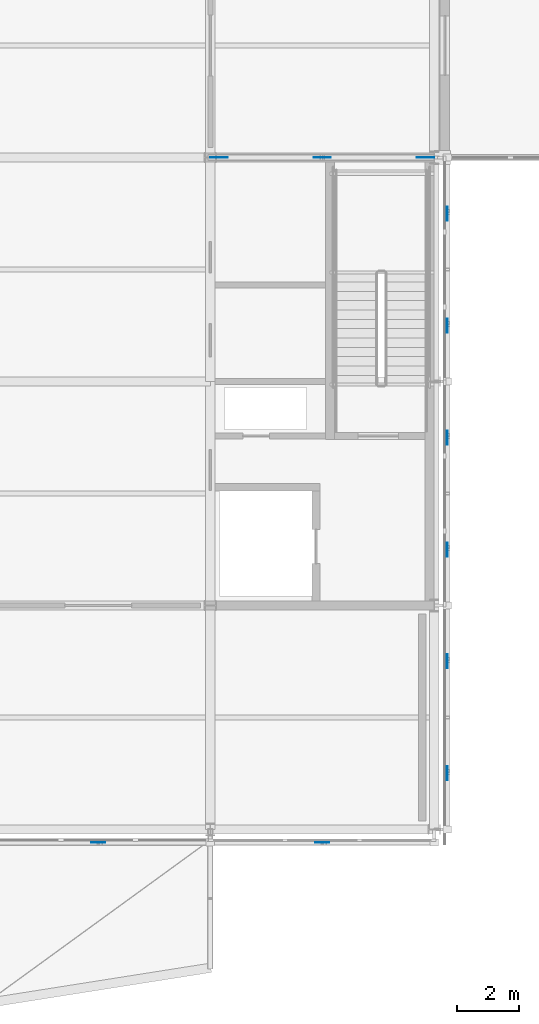
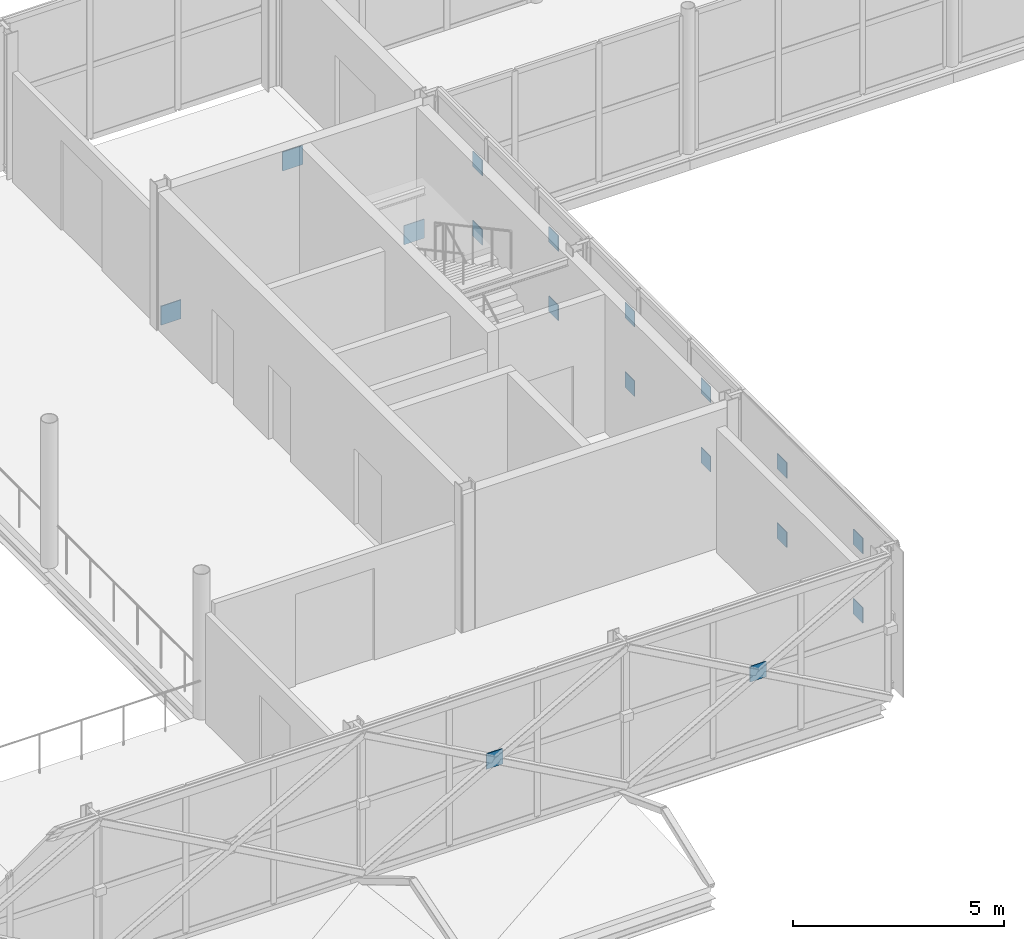
# One storey, part 103 of 146: 17 plates.
"""IFC4 building model written with IfcOpenShell, lengths in metres."""

from ifc_helpers import new_model, si_unit, direction, frame, origin, origin_2d, place, context, subcontext, project, spatial, rectangle, extrude, material, layer, layer_set, type_object, element, save


model = new_model("IFC4")

# Units and contexts
model_context = context("Model", 3, precision=1e-05, world=origin(), true_north=direction((0.0, 1.0)))
body_context = subcontext(model_context, "Body", "Model", "MODEL_VIEW")
ifc_project = project(units=[si_unit("LENGTHUNIT", "METRE"), si_unit("AREAUNIT", "SQUARE_METRE"), si_unit("VOLUMEUNIT", "CUBIC_METRE"), si_unit("PLANEANGLEUNIT", "RADIAN"), si_unit("MASSUNIT", "GRAM", prefix="KILO")], contexts=[model_context])

# Site, building, storey
site_placement = place(None, origin())
site = spatial("IfcSite", under=ifc_project, at=site_placement, CompositionType="ELEMENT")
building_placement = place(site_placement, origin())
building = spatial("IfcBuilding", under=site, at=building_placement, Name="Zlatovets Crest Museum", CompositionType="ELEMENT")
storey_placement = place(building_placement, frame((0.0, 0.0, 4.5)))
storey = spatial("IfcBuildingStorey", under=building, at=storey_placement, Name="L01", CompositionType="ELEMENT", Elevation=4.5)

# Plates
ifc_material = material(Name="Structural steel S355J2", Category="steel")
ifc_layer_1 = layer(ifc_material, 0.02490234375)
ifc_layer_set_1 = layer_set([ifc_layer_1], Name="Structural steel S355J2")
plate_type_1 = type_object("IfcPlateType", Name="Gusset_GP-01", PredefinedType="USERDEFINED", material=ifc_layer_set_1)
for number, where, z_axis, x_axis, name in (
    (1, (101.080078125, 21.60009765625, 0.0048828125), (0.0, 0.0, 1.0), (1.0, 0.0, 0.0), "V2 L01 Brace End Gusset Plate GP-01"),
    (2, (107.719970703125, 21.60009765625, 0.0048828125), (0.0, 0.0, 1.0), (1.0, 0.0, 0.0), "V2 L01 Brace End Gusset Plate GP-01"),
    (3, (104.39990234375, 21.60009765625, 3.294921875), (0.0, 0.0, 1.0), (1.0, 0.0, 0.0), "V2 L01 Brace End Gusset Plate GP-01"),
):
    element("IfcPlate", number, at=place(storey_placement, frame(where, z_axis=z_axis, x_axis=x_axis)), inside=storey, type_object=plate_type_1, Name=name, ObjectType="GUSSET", PredefinedType="USERDEFINED", context=body_context, shape_type="SweptSolid", body=[
        extrude(rectangle(XDim=0.550048828125, YDim=0.02490234375, at=origin_2d()), origin(), (0.0, 0.0, 1.0), 0.550048828125),
    ])
ifc_layer_2 = layer(ifc_material, 0.02001953125)
ifc_layer_set_2 = layer_set([ifc_layer_2], Name="Structural steel S355J2")
plate_type_2 = type_object("IfcPlateType", Name="Gusset_GP-04", PredefinedType="USERDEFINED", material=ifc_layer_set_2)
for number, where, z_axis, x_axis, name in (
    (4, (97.199951171875, -0.419921875, 1.875), (0.0, 0.0, 1.0), (1.0, 0.0, 0.0), "X-Brace Crossing Node Gusset Plate GP-04"),
    (5, (104.39990234375, -0.419921875, 1.875), (0.0, 0.0, 1.0), (1.0, 0.0, 0.0), "X-Brace Crossing Node Gusset Plate GP-04"),
):
    element("IfcPlate", number, at=place(storey_placement, frame(where, z_axis=z_axis, x_axis=x_axis)), inside=storey, type_object=plate_type_2, Name=name, ObjectType="GUSSET", PredefinedType="USERDEFINED", context=body_context, shape_type="SweptSolid", body=[
        extrude(rectangle(XDim=0.449951171875, YDim=0.02001953125, at=origin_2d()), origin(), (0.0, 0.0, 1.0), 0.449951171875),
    ])
for number, where, z_axis, x_axis, name in (
    (6, (108.419921875, 1.800048828125, 0.875), (0.0, 0.0, 1.0), (1.0, 0.0, 0.0), "X-Brace Crossing Node Gusset Plate GP-04"),
    (7, (108.419921875, 5.39990234375, 0.875), (0.0, 0.0, 1.0), (1.0, 0.0, 0.0), "X-Brace Crossing Node Gusset Plate GP-04"),
    (8, (108.419921875, 1.800048828125, 2.875), (0.0, 0.0, 1.0), (1.0, 0.0, 0.0), "X-Brace Crossing Node Gusset Plate GP-04"),
    (9, (108.419921875, 5.39990234375, 2.875), (0.0, 0.0, 1.0), (1.0, 0.0, 0.0), "X-Brace Crossing Node Gusset Plate GP-04"),
    (10, (108.419921875, 9.0, 0.875), (0.0, 0.0, 1.0), (1.0, 0.0, 0.0), "X-Brace Crossing Node Gusset Plate GP-04"),
    (11, (108.419921875, 12.60009765625, 0.875), (0.0, 0.0, 1.0), (1.0, 0.0, 0.0), "X-Brace Crossing Node Gusset Plate GP-04"),
    (12, (108.419921875, 9.0, 2.875), (0.0, 0.0, 1.0), (1.0, 0.0, 0.0), "X-Brace Crossing Node Gusset Plate GP-04"),
    (13, (108.419921875, 12.60009765625, 2.875), (0.0, 0.0, 1.0), (1.0, 0.0, 0.0), "X-Brace Crossing Node Gusset Plate GP-04"),
    (14, (108.419921875, 16.199951171875, 0.875), (0.0, 0.0, 1.0), (1.0, 0.0, 0.0), "X-Brace Crossing Node Gusset Plate GP-04"),
    (15, (108.419921875, 19.800048828125, 0.875), (0.0, 0.0, 1.0), (1.0, 0.0, 0.0), "X-Brace Crossing Node Gusset Plate GP-04"),
    (16, (108.419921875, 16.199951171875, 2.875), (0.0, 0.0, 1.0), (1.0, 0.0, 0.0), "X-Brace Crossing Node Gusset Plate GP-04"),
    (17, (108.419921875, 19.800048828125, 2.875), (0.0, 0.0, 1.0), (1.0, 0.0, 0.0), "X-Brace Crossing Node Gusset Plate GP-04"),
):
    element("IfcPlate", number, at=place(storey_placement, frame(where, z_axis=z_axis, x_axis=x_axis)), inside=storey, type_object=plate_type_2, Name=name, ObjectType="GUSSET", PredefinedType="USERDEFINED", context=body_context, shape_type="SweptSolid", body=[
        extrude(rectangle(XDim=0.02001953125, YDim=0.449951171875, at=origin_2d()), origin(), (0.0, 0.0, 1.0), 0.449951171875),
    ])

save(model, "model.ifc")
